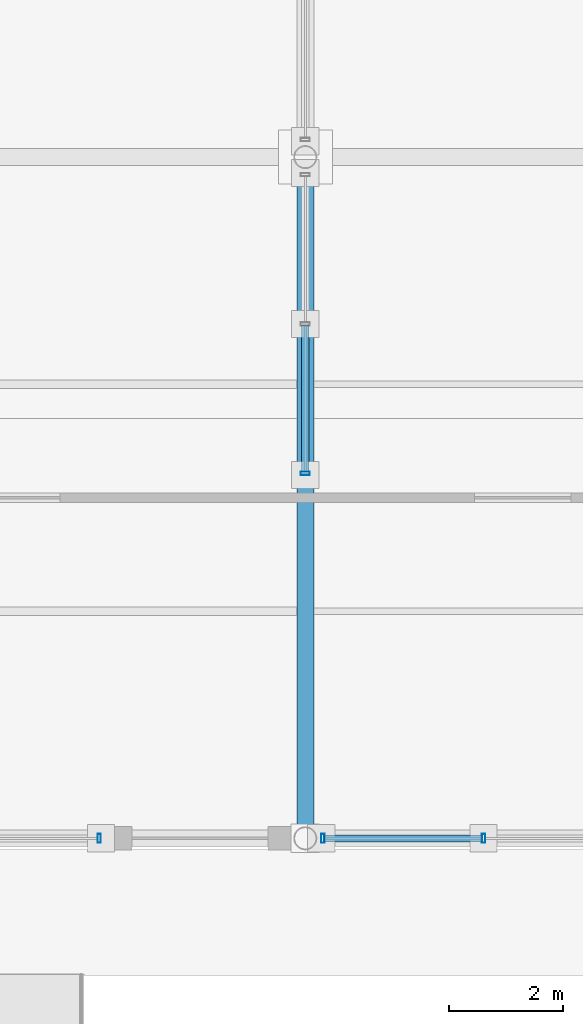
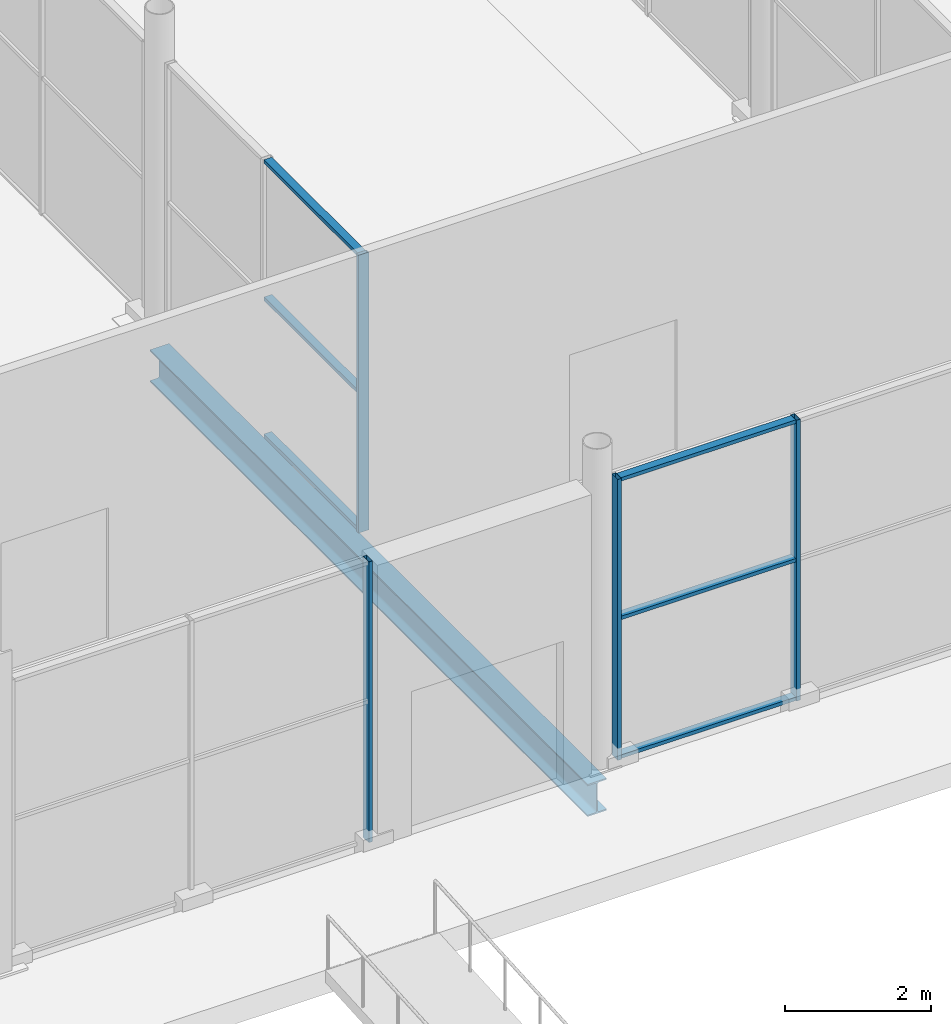
# One storey, part 60 of 196: 10 members, 1 beam, 3 elements without a shape of their own.
"""IFC4 building model written with IfcOpenShell, lengths in metres."""

from ifc_helpers import new_model, si_unit, direction, frame, origin, origin_2d, place, context, subcontext, project, spatial, hollow_rectangle, i_section, extrude, material, material_profile, profile_set, type_object, element, aggregate, save


model = new_model("IFC4")

# Units and contexts
model_context = context("Model", 3, precision=1e-05, world=origin(), true_north=direction((0.0, 1.0)))
body_context = subcontext(model_context, "Body", "Model", "MODEL_VIEW")
ifc_project = project(units=[si_unit("LENGTHUNIT", "METRE"), si_unit("AREAUNIT", "SQUARE_METRE"), si_unit("VOLUMEUNIT", "CUBIC_METRE"), si_unit("PLANEANGLEUNIT", "RADIAN"), si_unit("MASSUNIT", "GRAM", prefix="KILO")], contexts=[model_context])

# Site, building, storey
site_placement = place(None, origin())
site = spatial("IfcSite", under=ifc_project, at=site_placement, CompositionType="ELEMENT")
building_placement = place(site_placement, origin())
building = spatial("IfcBuilding", under=site, at=building_placement, Name="Merenkruunu Market Hall", CompositionType="ELEMENT")
storey_placement = place(building_placement, origin())
storey = spatial("IfcBuildingStorey", under=building, at=storey_placement, Name="L00", CompositionType="ELEMENT", Elevation=0.0)

# Curtain wall, member
ifc_material_1 = material(Name="Powder-coated aluminium", Category="aluminium")
curtain_wall_type_1 = type_object("IfcCurtainWallType", Name="Glazed Curtain Wall CW06", PredefinedType="USERDEFINED", material=ifc_material_1)
curtain_wall_1_placement = place(storey_placement, origin())
curtain_wall_1 = element("IfcCurtainWall", 1, at=curtain_wall_1_placement, inside=storey, type_object=curtain_wall_type_1, Name="CW-L00-CWM01-139", ObjectType="GLAZED_FACADE", PredefinedType="USERDEFINED")
ifc_material_profile_1 = material_profile(ifc_material_1, hollow_rectangle(XDim=0.06005859375, YDim=0.159912109375, WallThickness=0.00390625, at=origin_2d()), Name="ALU 60x160x4")
ifc_profile_set_1 = profile_set([ifc_material_profile_1], Name="Powder-coated aluminium")
member_type_1 = type_object("IfcMemberType", Name="Curtain Wall Mullion CWM01", PredefinedType="MULLION", material=ifc_profile_set_1)
member_1_placement = place(storey_placement, frame((63.570068359375, 15.60009765625, 0.0), z_axis=(0.0, 0.0, 1.0), x_axis=(-1.0, 0.0, 0.0)))
member_1 = element("IfcMember", 2, at=member_1_placement, type_object=member_type_1, Name="CW06 mullion 1", PredefinedType="MULLION", context=body_context, shape_type="SweptSolid", body=[
    extrude(hollow_rectangle(XDim=0.06005859375, YDim=0.159912109375, WallThickness=0.00390625, at=origin_2d()), origin(), (0.0, 0.0, 1.0), 4.699951171875),
])
aggregate(curtain_wall_1, [member_1])

# Curtain wall, members
curtain_wall_2_placement = place(storey_placement, origin())
curtain_wall_2 = element("IfcCurtainWall", 3, at=curtain_wall_2_placement, inside=storey, type_object=curtain_wall_type_1, Name="CW-L00-CWM01-145", ObjectType="GLAZED_FACADE", PredefinedType="USERDEFINED")
member_2_placement = place(storey_placement, frame((70.340087890625, 15.60009765625, 0.0), z_axis=(0.0, 0.0, 1.0), x_axis=(-1.0, 0.0, 0.0)))
member_2 = element("IfcMember", 4, at=member_2_placement, type_object=member_type_1, Name="CW06 mullion 2", PredefinedType="MULLION", context=body_context, shape_type="SweptSolid", body=[
    extrude(hollow_rectangle(XDim=0.06005859375, YDim=0.159912109375, WallThickness=0.00390625, at=origin_2d()), origin(), (0.0, 0.0, 1.0), 4.699951171875),
])
member_3_placement = place(storey_placement, frame((67.510009765625, 15.60009765625, 0.0), z_axis=(0.0, 0.0, 1.0), x_axis=(-1.0, 0.0, 0.0)))
member_3 = element("IfcMember", 5, at=member_3_placement, type_object=member_type_1, Name="CW06 mullion 3", PredefinedType="MULLION", context=body_context, shape_type="SweptSolid", body=[
    extrude(hollow_rectangle(XDim=0.06005859375, YDim=0.159912109375, WallThickness=0.00390625, at=origin_2d()), origin(), (0.0, 0.0, 1.0), 4.699951171875),
])

# Curtain wall, member
curtain_wall_type_2 = type_object("IfcCurtainWallType", Name="Glazed Curtain Wall CW15", PredefinedType="USERDEFINED", material=ifc_material_1)
curtain_wall_3_placement = place(storey_placement, origin())
curtain_wall_3 = element("IfcCurtainWall", 6, at=curtain_wall_3_placement, inside=storey, type_object=curtain_wall_type_2, Name="CW-L00-CWM01-168", ObjectType="GLAZED_FACADE", PredefinedType="USERDEFINED")
member_4_placement = place(storey_placement, frame((67.199951171875, 22.030029296875, 0.0), z_axis=(0.0, 0.0, 1.0), x_axis=(0.0, 1.0, 0.0)))
member_4 = element("IfcMember", 7, at=member_4_placement, type_object=member_type_1, Name="CW15 mullion 1", PredefinedType="MULLION", context=body_context, shape_type="SweptSolid", body=[
    extrude(hollow_rectangle(XDim=0.06005859375, YDim=0.159912109375, WallThickness=0.00390625, at=origin_2d()), origin(), (0.0, 0.0, 1.0), 4.64990234375),
])

# Member
ifc_material_profile_2 = material_profile(ifc_material_1, hollow_rectangle(XDim=0.06005859375, YDim=0.125, WallThickness=0.00390625, at=origin_2d()), Name="ALU 60x125x4")
ifc_profile_set_2 = profile_set([ifc_material_profile_2], Name="Powder-coated aluminium")
member_type_2 = type_object("IfcMemberType", Name="Curtain Wall Transom CWT01", PredefinedType="USERDEFINED", material=ifc_profile_set_2)
member_5_placement = place(storey_placement, frame((70.31005859375, 15.60009765625, 0.030029296875), z_axis=(-1.0, 0.0, 0.0), x_axis=(0.0, 0.0, 1.0)))
member_5 = element("IfcMember", 8, at=member_5_placement, type_object=member_type_2, Name="CW06 transom 2.1", ObjectType="TRANSOM", PredefinedType="USERDEFINED", context=body_context, shape_type="SweptSolid", body=[
    extrude(hollow_rectangle(XDim=0.06005859375, YDim=0.125, WallThickness=0.00390625, at=origin_2d()), origin(), (0.0, 0.0, 1.0), 2.77001953125),
])

member_6_placement = place(storey_placement, frame((70.31005859375, 15.60009765625, 2.35009765625), z_axis=(-1.0, 0.0, 0.0), x_axis=(0.0, 0.0, 1.0)))
member_6 = element("IfcMember", 9, at=member_6_placement, type_object=member_type_2, Name="CW06 transom 2.2", ObjectType="TRANSOM", PredefinedType="USERDEFINED", context=body_context, shape_type="SweptSolid", body=[
    extrude(hollow_rectangle(XDim=0.06005859375, YDim=0.125, WallThickness=0.00390625, at=origin_2d()), origin(), (0.0, 0.0, 1.0), 2.77001953125),
])

member_7_placement = place(storey_placement, frame((70.31005859375, 15.60009765625, 4.669921875), z_axis=(-1.0, 0.0, 0.0), x_axis=(0.0, 0.0, 1.0)))
member_7 = element("IfcMember", 10, at=member_7_placement, type_object=member_type_2, Name="CW06 transom 2.3", ObjectType="TRANSOM", PredefinedType="USERDEFINED", context=body_context, shape_type="SweptSolid", body=[
    extrude(hollow_rectangle(XDim=0.06005859375, YDim=0.125, WallThickness=0.00390625, at=origin_2d()), origin(), (0.0, 0.0, 1.0), 2.77001953125),
])

aggregate(curtain_wall_2, [member_2, member_3, member_5, member_6, member_7])

member_8_placement = place(storey_placement, frame((67.199951171875, 22.06005859375, 0.030029296875), z_axis=(0.0, 1.0, 0.0), x_axis=(0.0, 0.0, 1.0)))
member_8 = element("IfcMember", 11, at=member_8_placement, type_object=member_type_2, Name="CW15 transom 1.1", ObjectType="TRANSOM", PredefinedType="USERDEFINED", context=body_context, shape_type="SweptSolid", body=[
    extrude(hollow_rectangle(XDim=0.06005859375, YDim=0.125, WallThickness=0.00390625, at=origin_2d()), origin(), (0.0, 0.0, 1.0), 2.56982421875),
])

member_9_placement = place(storey_placement, frame((67.199951171875, 22.06005859375, 2.324951171875), z_axis=(0.0, 1.0, 0.0), x_axis=(0.0, 0.0, 1.0)))
member_9 = element("IfcMember", 12, at=member_9_placement, type_object=member_type_2, Name="CW15 transom 1.2", ObjectType="TRANSOM", PredefinedType="USERDEFINED", context=body_context, shape_type="SweptSolid", body=[
    extrude(hollow_rectangle(XDim=0.06005859375, YDim=0.125, WallThickness=0.00390625, at=origin_2d()), origin(), (0.0, 0.0, 1.0), 2.56982421875),
])

member_10_placement = place(storey_placement, frame((67.199951171875, 22.06005859375, 4.6201171875), z_axis=(0.0, 1.0, 0.0), x_axis=(0.0, 0.0, 1.0)))
member_10 = element("IfcMember", 13, at=member_10_placement, type_object=member_type_2, Name="CW15 transom 1.3", ObjectType="TRANSOM", PredefinedType="USERDEFINED", context=body_context, shape_type="SweptSolid", body=[
    extrude(hollow_rectangle(XDim=0.06005859375, YDim=0.125, WallThickness=0.00390625, at=origin_2d()), origin(), (0.0, 0.0, 1.0), 2.56982421875),
])

aggregate(curtain_wall_3, [member_4, member_8, member_9, member_10])

# Beam
ifc_material_2 = material(Name="Steel S355J2", Category="steel")
ifc_material_profile_3 = material_profile(ifc_material_2, i_section(OverallWidth=0.300048828125, OverallDepth=0.5400390625, WebThickness=0.012451171875, FlangeThickness=0.02392578125, FilletRadius=0.027099609375, at=origin_2d()), Name="HEA 550")
ifc_profile_set_3 = profile_set([ifc_material_profile_3], Name="Steel S355J2")
beam_type = type_object("IfcBeamType", Name="Primary Floor Girder B06", PredefinedType="BEAM", material=ifc_profile_set_3)
beam_placement = place(storey_placement, frame((67.199951171875, 15.60009765625, -0.570068359375), z_axis=(0.0, 1.0, 0.0), x_axis=(-1.0, 0.0, 0.0)))
element("IfcBeam", 14, at=beam_placement, inside=storey, type_object=beam_type, Name="BM-L00-B06-0194", PredefinedType="BEAM", context=body_context, shape_type="SweptSolid", body=[
    extrude(i_section(OverallWidth=0.300048828125, OverallDepth=0.5400390625, WebThickness=0.012451171875, FlangeThickness=0.02392578125, FilletRadius=0.027099609375, at=origin_2d()), origin(), (0.0, 0.0, 1.0), 12.0),
])

save(model, "model.ifc")
